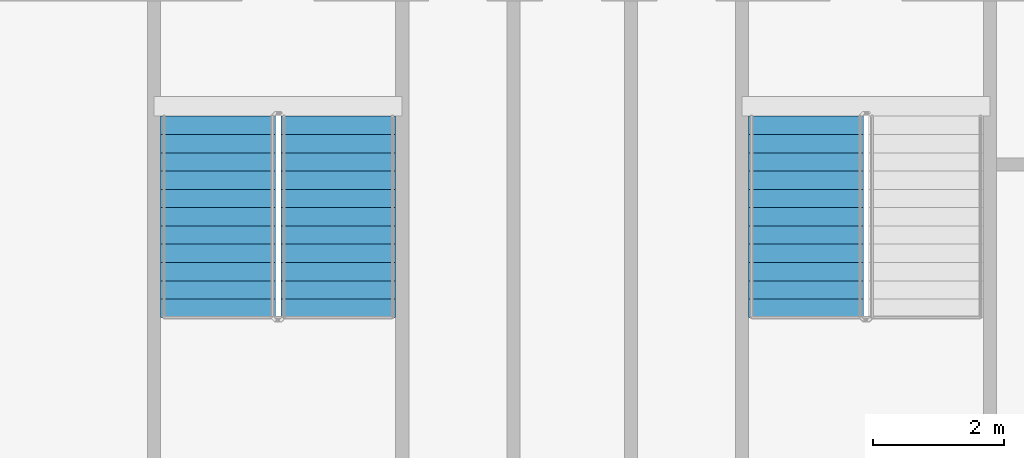
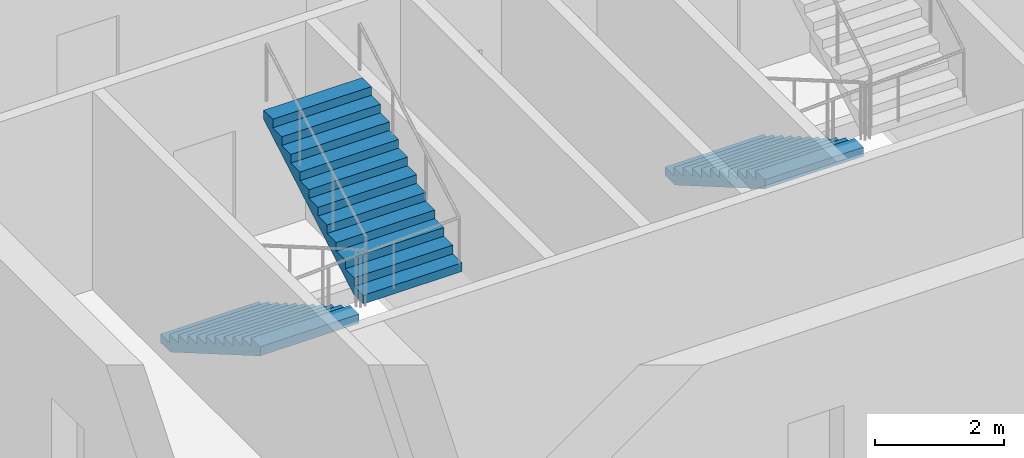
# One storey, part 16 of 23: 3 stair flights, 2 elements without a shape of their own.
"""IFC4 building model written with IfcOpenShell, lengths in metres."""

from ifc_helpers import new_model, si_unit, direction, frame, origin, place, context, subcontext, project, spatial, faceted_brep, material, type_object, element, aggregate, save


model = new_model("IFC4")

# Units and contexts
model_context = context("Model", 3, precision=1e-05, world=origin(), true_north=direction((0.0, 1.0)))
body_context = subcontext(model_context, "Body", "Model", "MODEL_VIEW")
ifc_project = project(units=[si_unit("LENGTHUNIT", "METRE"), si_unit("AREAUNIT", "SQUARE_METRE"), si_unit("VOLUMEUNIT", "CUBIC_METRE"), si_unit("PLANEANGLEUNIT", "RADIAN"), si_unit("MASSUNIT", "GRAM", prefix="KILO")], contexts=[model_context])

# Site, building, storey
site_placement = place(None, origin())
site = spatial("IfcSite", under=ifc_project, at=site_placement, CompositionType="ELEMENT")
building_placement = place(site_placement, origin())
building = spatial("IfcBuilding", under=site, at=building_placement, Name="Tarsis Ring Headquarters", CompositionType="ELEMENT")
storey_placement = place(building_placement, frame((0.0, 0.0, 308.0)))
storey = spatial("IfcBuildingStorey", under=building, at=storey_placement, Name="L72", CompositionType="ELEMENT", Elevation=308.0)

# Stair, stair flights
ifc_material_1 = material(Name="Core stair 1760")
stair_type = type_object("IfcStairType", Name="Core stair 1760", PredefinedType="HALF_TURN_STAIR", material=ifc_material_1)
stair_1_placement = place(storey_placement, origin())
stair_1 = element("IfcStair", 1, at=stair_1_placement, inside=storey, type_object=stair_type, Name="L72 Exit stair C", PredefinedType="HALF_TURN_STAIR")
ifc_material_2 = material(Name="Concrete C40/50", Category="concrete")
stair_flight_type = type_object("IfcStairFlightType", Name="Core stair flight 1760", PredefinedType="STRAIGHT", material=ifc_material_2)
stair_flight_1_placement = place(storey_placement, frame((-5.419921875, -3.659912109375, 0.0), z_axis=(0.0, 0.0, 1.0), x_axis=(0.0, -1.0, 0.0)))
stair_flight_1 = element("IfcStairFlight", 2, at=stair_flight_1_placement, type_object=stair_flight_type, Name="Stair ST3 flight 1", NumberOfRisers=12, NumberOfTreads=11, PredefinedType="STRAIGHT", RiserHeight=0.1625, TreadLength=0.28, context=body_context, shape_type="Brep", body=[
    faceted_brep([(0.0, 0.8798828125, 0.0), (0.0, 0.8798828125, 0.16259765625), (0.280029296875, 0.8798828125, 0.16259765625), (0.280029296875, 0.8798828125, 0.324951171875), (0.56005859375, 0.8798828125, 0.324951171875), (0.56005859375, 0.8798828125, 0.487548828125), (0.840087890625, 0.8798828125, 0.487548828125), (0.840087890625, 0.8798828125, 0.64990234375), (1.1201171875, 0.8798828125, 0.64990234375), (1.1201171875, 0.8798828125, 0.8125), (1.39990234375, 0.8798828125, 0.8125), (1.39990234375, 0.8798828125, 0.97509765625), (1.679931640625, 0.8798828125, 0.97509765625), (1.679931640625, 0.8798828125, 1.137451171875), (1.9599609375, 0.8798828125, 1.137451171875), (1.9599609375, 0.8798828125, 1.300048828125), (2.239990234375, 0.8798828125, 1.300048828125), (2.239990234375, 0.8798828125, 1.46240234375), (2.52001953125, 0.8798828125, 1.46240234375), (2.52001953125, 0.8798828125, 1.625), (2.800048828125, 0.8798828125, 1.625), (2.800048828125, 0.8798828125, 1.78759765625), (3.080078125, 0.8798828125, 1.78759765625), (3.080078125, 0.8798828125, 1.6142578125), (0.298583984375, 0.8798828125, 0.0), (0.298583984375, -0.8798828125, 0.0), (3.080078125, -0.8798828125, 1.6142578125), (3.080078125, -0.8798828125, 1.78759765625), (2.800048828125, -0.8798828125, 1.78759765625), (2.800048828125, -0.8798828125, 1.625), (2.52001953125, -0.8798828125, 1.625), (2.52001953125, -0.8798828125, 1.46240234375), (2.239990234375, -0.8798828125, 1.46240234375), (2.239990234375, -0.8798828125, 1.300048828125), (1.9599609375, -0.8798828125, 1.300048828125), (1.9599609375, -0.8798828125, 1.137451171875), (1.679931640625, -0.8798828125, 1.137451171875), (1.679931640625, -0.8798828125, 0.97509765625), (1.39990234375, -0.8798828125, 0.97509765625), (1.39990234375, -0.8798828125, 0.8125), (1.1201171875, -0.8798828125, 0.8125), (1.1201171875, -0.8798828125, 0.64990234375), (0.840087890625, -0.8798828125, 0.64990234375), (0.840087890625, -0.8798828125, 0.487548828125), (0.56005859375, -0.8798828125, 0.487548828125), (0.56005859375, -0.8798828125, 0.324951171875), (0.280029296875, -0.8798828125, 0.324951171875), (0.280029296875, -0.8798828125, 0.16259765625), (0.0, -0.8798828125, 0.16259765625), (0.0, -0.8798828125, 0.0), (0.0, -0.43994140625, 0.16259765625), (0.0, -0.43994140625, 0.0), (0.0, 0.0, 0.16259765625), (0.0, 0.0, 0.0), (0.0, 0.43994140625, 0.16259765625), (0.0, 0.43994140625, 0.0), (0.280029296875, -0.43994140625, 0.16259765625), (0.280029296875, 0.0, 0.16259765625), (0.280029296875, 0.43994140625, 0.16259765625), (0.280029296875, -0.43994140625, 0.324951171875), (0.280029296875, 0.0, 0.324951171875), (0.280029296875, 0.43994140625, 0.324951171875), (0.56005859375, -0.43994140625, 0.324951171875), (0.56005859375, 0.0, 0.324951171875), (0.56005859375, 0.43994140625, 0.324951171875), (0.56005859375, -0.43994140625, 0.487548828125), (0.56005859375, 0.0, 0.487548828125), (0.56005859375, 0.43994140625, 0.487548828125), (0.840087890625, -0.43994140625, 0.487548828125), (0.840087890625, 0.0, 0.487548828125), (0.840087890625, 0.43994140625, 0.487548828125), (0.840087890625, -0.43994140625, 0.64990234375), (0.840087890625, 0.0, 0.64990234375), (0.840087890625, 0.43994140625, 0.64990234375), (1.1201171875, -0.43994140625, 0.64990234375), (1.1201171875, 0.0, 0.64990234375), (1.1201171875, 0.43994140625, 0.64990234375), (1.1201171875, -0.43994140625, 0.8125), (1.1201171875, 0.0, 0.8125), (1.1201171875, 0.43994140625, 0.8125), (1.39990234375, -0.43994140625, 0.8125), (1.39990234375, 0.0, 0.8125), (1.39990234375, 0.43994140625, 0.8125), (1.39990234375, -0.43994140625, 0.97509765625), (1.39990234375, 0.0, 0.97509765625), (1.39990234375, 0.43994140625, 0.97509765625), (1.679931640625, -0.43994140625, 0.97509765625), (1.679931640625, 0.0, 0.97509765625), (1.679931640625, 0.43994140625, 0.97509765625), (1.679931640625, -0.43994140625, 1.137451171875), (1.679931640625, 0.0, 1.137451171875), (1.679931640625, 0.43994140625, 1.137451171875), (1.9599609375, -0.43994140625, 1.137451171875), (1.9599609375, 0.0, 1.137451171875), (1.9599609375, 0.43994140625, 1.137451171875), (1.9599609375, -0.43994140625, 1.300048828125), (1.9599609375, 0.0, 1.300048828125), (1.9599609375, 0.43994140625, 1.300048828125), (2.239990234375, -0.43994140625, 1.300048828125), (2.239990234375, 0.0, 1.300048828125), (2.239990234375, 0.43994140625, 1.300048828125), (2.239990234375, -0.43994140625, 1.46240234375), (2.239990234375, 0.0, 1.46240234375), (2.239990234375, 0.43994140625, 1.46240234375), (2.52001953125, -0.43994140625, 1.46240234375), (2.52001953125, 0.0, 1.46240234375), (2.52001953125, 0.43994140625, 1.46240234375), (2.52001953125, -0.43994140625, 1.625), (2.52001953125, 0.0, 1.625), (2.52001953125, 0.43994140625, 1.625), (2.800048828125, -0.43994140625, 1.625), (2.800048828125, 0.0, 1.625), (2.800048828125, 0.43994140625, 1.625), (2.800048828125, -0.43994140625, 1.78759765625), (2.800048828125, 0.0, 1.78759765625), (2.800048828125, 0.43994140625, 1.78759765625), (3.080078125, -0.43994140625, 1.78759765625), (3.080078125, 0.0, 1.78759765625), (3.080078125, 0.43994140625, 1.78759765625), (3.080078125, -0.43994140625, 1.6142578125), (3.080078125, 0.0, 1.6142578125), (3.080078125, 0.43994140625, 1.6142578125), (0.298583984375, -0.43994140625, 0.0), (0.298583984375, 0.0, 0.0), (0.298583984375, 0.43994140625, 0.0)], [[[0, 1, 2, 3, 4, 5, 6, 7, 8, 9, 10, 11, 12, 13, 14, 15, 16, 17, 18, 19, 20, 21, 22, 23, 24]], [[25, 26, 27, 28, 29, 30, 31, 32, 33, 34, 35, 36, 37, 38, 39, 40, 41, 42, 43, 44, 45, 46, 47, 48, 49]], [[49, 48, 50, 51]], [[51, 50, 52, 53]], [[53, 52, 54, 55]], [[55, 54, 1, 0]], [[48, 47, 56, 50]], [[50, 56, 57, 52]], [[52, 57, 58, 54]], [[54, 58, 2, 1]], [[47, 46, 59, 56]], [[56, 59, 60, 57]], [[57, 60, 61, 58]], [[58, 61, 3, 2]], [[46, 45, 62, 59]], [[59, 62, 63, 60]], [[60, 63, 64, 61]], [[61, 64, 4, 3]], [[45, 44, 65, 62]], [[62, 65, 66, 63]], [[63, 66, 67, 64]], [[64, 67, 5, 4]], [[44, 43, 68, 65]], [[65, 68, 69, 66]], [[66, 69, 70, 67]], [[67, 70, 6, 5]], [[43, 42, 71, 68]], [[68, 71, 72, 69]], [[69, 72, 73, 70]], [[70, 73, 7, 6]], [[42, 41, 74, 71]], [[71, 74, 75, 72]], [[72, 75, 76, 73]], [[73, 76, 8, 7]], [[41, 40, 77, 74]], [[74, 77, 78, 75]], [[75, 78, 79, 76]], [[76, 79, 9, 8]], [[40, 39, 80, 77]], [[77, 80, 81, 78]], [[78, 81, 82, 79]], [[79, 82, 10, 9]], [[39, 38, 83, 80]], [[80, 83, 84, 81]], [[81, 84, 85, 82]], [[82, 85, 11, 10]], [[38, 37, 86, 83]], [[83, 86, 87, 84]], [[84, 87, 88, 85]], [[85, 88, 12, 11]], [[37, 36, 89, 86]], [[86, 89, 90, 87]], [[87, 90, 91, 88]], [[88, 91, 13, 12]], [[36, 35, 92, 89]], [[89, 92, 93, 90]], [[90, 93, 94, 91]], [[91, 94, 14, 13]], [[35, 34, 95, 92]], [[92, 95, 96, 93]], [[93, 96, 97, 94]], [[94, 97, 15, 14]], [[34, 33, 98, 95]], [[95, 98, 99, 96]], [[96, 99, 100, 97]], [[97, 100, 16, 15]], [[33, 32, 101, 98]], [[98, 101, 102, 99]], [[99, 102, 103, 100]], [[100, 103, 17, 16]], [[32, 31, 104, 101]], [[101, 104, 105, 102]], [[102, 105, 106, 103]], [[103, 106, 18, 17]], [[31, 30, 107, 104]], [[104, 107, 108, 105]], [[105, 108, 109, 106]], [[106, 109, 19, 18]], [[30, 29, 110, 107]], [[107, 110, 111, 108]], [[108, 111, 112, 109]], [[109, 112, 20, 19]], [[29, 28, 113, 110]], [[110, 113, 114, 111]], [[111, 114, 115, 112]], [[112, 115, 21, 20]], [[28, 27, 116, 113]], [[113, 116, 117, 114]], [[114, 117, 118, 115]], [[115, 118, 22, 21]], [[27, 26, 119, 116]], [[116, 119, 120, 117]], [[117, 120, 121, 118]], [[118, 121, 23, 22]], [[26, 25, 122, 119]], [[119, 122, 123, 120]], [[120, 123, 124, 121]], [[121, 124, 24, 23]], [[25, 49, 51, 122]], [[122, 51, 53, 123]], [[123, 53, 55, 124]], [[124, 55, 0, 24]]]),
])
stair_flight_2_placement = place(storey_placement, frame((-3.580078125, -6.739990234375, 1.949951171875), z_axis=(0.0, 0.0, 1.0), x_axis=(0.0, 1.0, 0.0)))
stair_flight_2 = element("IfcStairFlight", 3, at=stair_flight_2_placement, type_object=stair_flight_type, Name="Stair ST3 flight 2", NumberOfRisers=12, NumberOfTreads=11, PredefinedType="STRAIGHT", RiserHeight=0.1625, TreadLength=0.28, context=body_context, shape_type="Brep", body=[
    faceted_brep([(0.0, 0.8798828125, 0.0), (0.0, 0.8798828125, 0.16259765625), (0.280029296875, 0.8798828125, 0.16259765625), (0.280029296875, 0.8798828125, 0.324951171875), (0.56005859375, 0.8798828125, 0.324951171875), (0.56005859375, 0.8798828125, 0.487548828125), (0.840087890625, 0.8798828125, 0.487548828125), (0.840087890625, 0.8798828125, 0.64990234375), (1.1201171875, 0.8798828125, 0.64990234375), (1.1201171875, 0.8798828125, 0.8125), (1.39990234375, 0.8798828125, 0.8125), (1.39990234375, 0.8798828125, 0.97509765625), (1.679931640625, 0.8798828125, 0.97509765625), (1.679931640625, 0.8798828125, 1.137451171875), (1.9599609375, 0.8798828125, 1.137451171875), (1.9599609375, 0.8798828125, 1.300048828125), (2.239990234375, 0.8798828125, 1.300048828125), (2.239990234375, 0.8798828125, 1.46240234375), (2.52001953125, 0.8798828125, 1.46240234375), (2.52001953125, 0.8798828125, 1.625), (2.800048828125, 0.8798828125, 1.625), (2.800048828125, 0.8798828125, 1.78759765625), (3.080078125, 0.8798828125, 1.78759765625), (3.080078125, 0.8798828125, 1.6142578125), (0.298583984375, 0.8798828125, 0.0), (0.298583984375, -0.8798828125, 0.0), (3.080078125, -0.8798828125, 1.6142578125), (3.080078125, -0.8798828125, 1.78759765625), (2.800048828125, -0.8798828125, 1.78759765625), (2.800048828125, -0.8798828125, 1.625), (2.52001953125, -0.8798828125, 1.625), (2.52001953125, -0.8798828125, 1.46240234375), (2.239990234375, -0.8798828125, 1.46240234375), (2.239990234375, -0.8798828125, 1.300048828125), (1.9599609375, -0.8798828125, 1.300048828125), (1.9599609375, -0.8798828125, 1.137451171875), (1.679931640625, -0.8798828125, 1.137451171875), (1.679931640625, -0.8798828125, 0.97509765625), (1.39990234375, -0.8798828125, 0.97509765625), (1.39990234375, -0.8798828125, 0.8125), (1.1201171875, -0.8798828125, 0.8125), (1.1201171875, -0.8798828125, 0.64990234375), (0.840087890625, -0.8798828125, 0.64990234375), (0.840087890625, -0.8798828125, 0.487548828125), (0.56005859375, -0.8798828125, 0.487548828125), (0.56005859375, -0.8798828125, 0.324951171875), (0.280029296875, -0.8798828125, 0.324951171875), (0.280029296875, -0.8798828125, 0.16259765625), (0.0, -0.8798828125, 0.16259765625), (0.0, -0.8798828125, 0.0), (0.0, -0.43994140625, 0.16259765625), (0.0, -0.43994140625, 0.0), (0.0, 0.0, 0.16259765625), (0.0, 0.0, 0.0), (0.0, 0.43994140625, 0.16259765625), (0.0, 0.43994140625, 0.0), (0.280029296875, -0.43994140625, 0.16259765625), (0.280029296875, 0.0, 0.16259765625), (0.280029296875, 0.43994140625, 0.16259765625), (0.280029296875, -0.43994140625, 0.324951171875), (0.280029296875, 0.0, 0.324951171875), (0.280029296875, 0.43994140625, 0.324951171875), (0.56005859375, -0.43994140625, 0.324951171875), (0.56005859375, 0.0, 0.324951171875), (0.56005859375, 0.43994140625, 0.324951171875), (0.56005859375, -0.43994140625, 0.487548828125), (0.56005859375, 0.0, 0.487548828125), (0.56005859375, 0.43994140625, 0.487548828125), (0.840087890625, -0.43994140625, 0.487548828125), (0.840087890625, 0.0, 0.487548828125), (0.840087890625, 0.43994140625, 0.487548828125), (0.840087890625, -0.43994140625, 0.64990234375), (0.840087890625, 0.0, 0.64990234375), (0.840087890625, 0.43994140625, 0.64990234375), (1.1201171875, -0.43994140625, 0.64990234375), (1.1201171875, 0.0, 0.64990234375), (1.1201171875, 0.43994140625, 0.64990234375), (1.1201171875, -0.43994140625, 0.8125), (1.1201171875, 0.0, 0.8125), (1.1201171875, 0.43994140625, 0.8125), (1.39990234375, -0.43994140625, 0.8125), (1.39990234375, 0.0, 0.8125), (1.39990234375, 0.43994140625, 0.8125), (1.39990234375, -0.43994140625, 0.97509765625), (1.39990234375, 0.0, 0.97509765625), (1.39990234375, 0.43994140625, 0.97509765625), (1.679931640625, -0.43994140625, 0.97509765625), (1.679931640625, 0.0, 0.97509765625), (1.679931640625, 0.43994140625, 0.97509765625), (1.679931640625, -0.43994140625, 1.137451171875), (1.679931640625, 0.0, 1.137451171875), (1.679931640625, 0.43994140625, 1.137451171875), (1.9599609375, -0.43994140625, 1.137451171875), (1.9599609375, 0.0, 1.137451171875), (1.9599609375, 0.43994140625, 1.137451171875), (1.9599609375, -0.43994140625, 1.300048828125), (1.9599609375, 0.0, 1.300048828125), (1.9599609375, 0.43994140625, 1.300048828125), (2.239990234375, -0.43994140625, 1.300048828125), (2.239990234375, 0.0, 1.300048828125), (2.239990234375, 0.43994140625, 1.300048828125), (2.239990234375, -0.43994140625, 1.46240234375), (2.239990234375, 0.0, 1.46240234375), (2.239990234375, 0.43994140625, 1.46240234375), (2.52001953125, -0.43994140625, 1.46240234375), (2.52001953125, 0.0, 1.46240234375), (2.52001953125, 0.43994140625, 1.46240234375), (2.52001953125, -0.43994140625, 1.625), (2.52001953125, 0.0, 1.625), (2.52001953125, 0.43994140625, 1.625), (2.800048828125, -0.43994140625, 1.625), (2.800048828125, 0.0, 1.625), (2.800048828125, 0.43994140625, 1.625), (2.800048828125, -0.43994140625, 1.78759765625), (2.800048828125, 0.0, 1.78759765625), (2.800048828125, 0.43994140625, 1.78759765625), (3.080078125, -0.43994140625, 1.78759765625), (3.080078125, 0.0, 1.78759765625), (3.080078125, 0.43994140625, 1.78759765625), (3.080078125, -0.43994140625, 1.6142578125), (3.080078125, 0.0, 1.6142578125), (3.080078125, 0.43994140625, 1.6142578125), (0.298583984375, -0.43994140625, 0.0), (0.298583984375, 0.0, 0.0), (0.298583984375, 0.43994140625, 0.0)], [[[0, 1, 2, 3, 4, 5, 6, 7, 8, 9, 10, 11, 12, 13, 14, 15, 16, 17, 18, 19, 20, 21, 22, 23, 24]], [[25, 26, 27, 28, 29, 30, 31, 32, 33, 34, 35, 36, 37, 38, 39, 40, 41, 42, 43, 44, 45, 46, 47, 48, 49]], [[49, 48, 50, 51]], [[51, 50, 52, 53]], [[53, 52, 54, 55]], [[55, 54, 1, 0]], [[48, 47, 56, 50]], [[50, 56, 57, 52]], [[52, 57, 58, 54]], [[54, 58, 2, 1]], [[47, 46, 59, 56]], [[56, 59, 60, 57]], [[57, 60, 61, 58]], [[58, 61, 3, 2]], [[46, 45, 62, 59]], [[59, 62, 63, 60]], [[60, 63, 64, 61]], [[61, 64, 4, 3]], [[45, 44, 65, 62]], [[62, 65, 66, 63]], [[63, 66, 67, 64]], [[64, 67, 5, 4]], [[44, 43, 68, 65]], [[65, 68, 69, 66]], [[66, 69, 70, 67]], [[67, 70, 6, 5]], [[43, 42, 71, 68]], [[68, 71, 72, 69]], [[69, 72, 73, 70]], [[70, 73, 7, 6]], [[42, 41, 74, 71]], [[71, 74, 75, 72]], [[72, 75, 76, 73]], [[73, 76, 8, 7]], [[41, 40, 77, 74]], [[74, 77, 78, 75]], [[75, 78, 79, 76]], [[76, 79, 9, 8]], [[40, 39, 80, 77]], [[77, 80, 81, 78]], [[78, 81, 82, 79]], [[79, 82, 10, 9]], [[39, 38, 83, 80]], [[80, 83, 84, 81]], [[81, 84, 85, 82]], [[82, 85, 11, 10]], [[38, 37, 86, 83]], [[83, 86, 87, 84]], [[84, 87, 88, 85]], [[85, 88, 12, 11]], [[37, 36, 89, 86]], [[86, 89, 90, 87]], [[87, 90, 91, 88]], [[88, 91, 13, 12]], [[36, 35, 92, 89]], [[89, 92, 93, 90]], [[90, 93, 94, 91]], [[91, 94, 14, 13]], [[35, 34, 95, 92]], [[92, 95, 96, 93]], [[93, 96, 97, 94]], [[94, 97, 15, 14]], [[34, 33, 98, 95]], [[95, 98, 99, 96]], [[96, 99, 100, 97]], [[97, 100, 16, 15]], [[33, 32, 101, 98]], [[98, 101, 102, 99]], [[99, 102, 103, 100]], [[100, 103, 17, 16]], [[32, 31, 104, 101]], [[101, 104, 105, 102]], [[102, 105, 106, 103]], [[103, 106, 18, 17]], [[31, 30, 107, 104]], [[104, 107, 108, 105]], [[105, 108, 109, 106]], [[106, 109, 19, 18]], [[30, 29, 110, 107]], [[107, 110, 111, 108]], [[108, 111, 112, 109]], [[109, 112, 20, 19]], [[29, 28, 113, 110]], [[110, 113, 114, 111]], [[111, 114, 115, 112]], [[112, 115, 21, 20]], [[28, 27, 116, 113]], [[113, 116, 117, 114]], [[114, 117, 118, 115]], [[115, 118, 22, 21]], [[27, 26, 119, 116]], [[116, 119, 120, 117]], [[117, 120, 121, 118]], [[118, 121, 23, 22]], [[26, 25, 122, 119]], [[119, 122, 123, 120]], [[120, 123, 124, 121]], [[121, 124, 24, 23]], [[25, 49, 51, 122]], [[122, 51, 53, 123]], [[123, 53, 55, 124]], [[124, 55, 0, 24]]]),
])
aggregate(stair_1, [stair_flight_1, stair_flight_2])

# Stair, stair flight
stair_2_placement = place(storey_placement, origin())
stair_2 = element("IfcStair", 4, at=stair_2_placement, inside=storey, type_object=stair_type, Name="L72 Exit stair D", PredefinedType="HALF_TURN_STAIR")
stair_flight_3_placement = place(storey_placement, frame((3.580078125, -3.659912109375, 0.0), z_axis=(0.0, 0.0, 1.0), x_axis=(0.0, -1.0, 0.0)))
stair_flight_3 = element("IfcStairFlight", 5, at=stair_flight_3_placement, type_object=stair_flight_type, Name="Stair ST4 flight 1", NumberOfRisers=12, NumberOfTreads=11, PredefinedType="STRAIGHT", RiserHeight=0.1625, TreadLength=0.28, context=body_context, shape_type="Brep", body=[
    faceted_brep([(0.0, 0.8798828125, 0.0), (0.0, 0.8798828125, 0.16259765625), (0.280029296875, 0.8798828125, 0.16259765625), (0.280029296875, 0.8798828125, 0.324951171875), (0.56005859375, 0.8798828125, 0.324951171875), (0.56005859375, 0.8798828125, 0.487548828125), (0.840087890625, 0.8798828125, 0.487548828125), (0.840087890625, 0.8798828125, 0.64990234375), (1.1201171875, 0.8798828125, 0.64990234375), (1.1201171875, 0.8798828125, 0.8125), (1.39990234375, 0.8798828125, 0.8125), (1.39990234375, 0.8798828125, 0.97509765625), (1.679931640625, 0.8798828125, 0.97509765625), (1.679931640625, 0.8798828125, 1.137451171875), (1.9599609375, 0.8798828125, 1.137451171875), (1.9599609375, 0.8798828125, 1.300048828125), (2.239990234375, 0.8798828125, 1.300048828125), (2.239990234375, 0.8798828125, 1.46240234375), (2.52001953125, 0.8798828125, 1.46240234375), (2.52001953125, 0.8798828125, 1.625), (2.800048828125, 0.8798828125, 1.625), (2.800048828125, 0.8798828125, 1.78759765625), (3.080078125, 0.8798828125, 1.78759765625), (3.080078125, 0.8798828125, 1.6142578125), (0.298583984375, 0.8798828125, 0.0), (0.298583984375, -0.8798828125, 0.0), (3.080078125, -0.8798828125, 1.6142578125), (3.080078125, -0.8798828125, 1.78759765625), (2.800048828125, -0.8798828125, 1.78759765625), (2.800048828125, -0.8798828125, 1.625), (2.52001953125, -0.8798828125, 1.625), (2.52001953125, -0.8798828125, 1.46240234375), (2.239990234375, -0.8798828125, 1.46240234375), (2.239990234375, -0.8798828125, 1.300048828125), (1.9599609375, -0.8798828125, 1.300048828125), (1.9599609375, -0.8798828125, 1.137451171875), (1.679931640625, -0.8798828125, 1.137451171875), (1.679931640625, -0.8798828125, 0.97509765625), (1.39990234375, -0.8798828125, 0.97509765625), (1.39990234375, -0.8798828125, 0.8125), (1.1201171875, -0.8798828125, 0.8125), (1.1201171875, -0.8798828125, 0.64990234375), (0.840087890625, -0.8798828125, 0.64990234375), (0.840087890625, -0.8798828125, 0.487548828125), (0.56005859375, -0.8798828125, 0.487548828125), (0.56005859375, -0.8798828125, 0.324951171875), (0.280029296875, -0.8798828125, 0.324951171875), (0.280029296875, -0.8798828125, 0.16259765625), (0.0, -0.8798828125, 0.16259765625), (0.0, -0.8798828125, 0.0), (0.0, -0.43994140625, 0.16259765625), (0.0, -0.43994140625, 0.0), (0.0, 0.0, 0.16259765625), (0.0, 0.0, 0.0), (0.0, 0.43994140625, 0.16259765625), (0.0, 0.43994140625, 0.0), (0.280029296875, -0.43994140625, 0.16259765625), (0.280029296875, 0.0, 0.16259765625), (0.280029296875, 0.43994140625, 0.16259765625), (0.280029296875, -0.43994140625, 0.324951171875), (0.280029296875, 0.0, 0.324951171875), (0.280029296875, 0.43994140625, 0.324951171875), (0.56005859375, -0.43994140625, 0.324951171875), (0.56005859375, 0.0, 0.324951171875), (0.56005859375, 0.43994140625, 0.324951171875), (0.56005859375, -0.43994140625, 0.487548828125), (0.56005859375, 0.0, 0.487548828125), (0.56005859375, 0.43994140625, 0.487548828125), (0.840087890625, -0.43994140625, 0.487548828125), (0.840087890625, 0.0, 0.487548828125), (0.840087890625, 0.43994140625, 0.487548828125), (0.840087890625, -0.43994140625, 0.64990234375), (0.840087890625, 0.0, 0.64990234375), (0.840087890625, 0.43994140625, 0.64990234375), (1.1201171875, -0.43994140625, 0.64990234375), (1.1201171875, 0.0, 0.64990234375), (1.1201171875, 0.43994140625, 0.64990234375), (1.1201171875, -0.43994140625, 0.8125), (1.1201171875, 0.0, 0.8125), (1.1201171875, 0.43994140625, 0.8125), (1.39990234375, -0.43994140625, 0.8125), (1.39990234375, 0.0, 0.8125), (1.39990234375, 0.43994140625, 0.8125), (1.39990234375, -0.43994140625, 0.97509765625), (1.39990234375, 0.0, 0.97509765625), (1.39990234375, 0.43994140625, 0.97509765625), (1.679931640625, -0.43994140625, 0.97509765625), (1.679931640625, 0.0, 0.97509765625), (1.679931640625, 0.43994140625, 0.97509765625), (1.679931640625, -0.43994140625, 1.137451171875), (1.679931640625, 0.0, 1.137451171875), (1.679931640625, 0.43994140625, 1.137451171875), (1.9599609375, -0.43994140625, 1.137451171875), (1.9599609375, 0.0, 1.137451171875), (1.9599609375, 0.43994140625, 1.137451171875), (1.9599609375, -0.43994140625, 1.300048828125), (1.9599609375, 0.0, 1.300048828125), (1.9599609375, 0.43994140625, 1.300048828125), (2.239990234375, -0.43994140625, 1.300048828125), (2.239990234375, 0.0, 1.300048828125), (2.239990234375, 0.43994140625, 1.300048828125), (2.239990234375, -0.43994140625, 1.46240234375), (2.239990234375, 0.0, 1.46240234375), (2.239990234375, 0.43994140625, 1.46240234375), (2.52001953125, -0.43994140625, 1.46240234375), (2.52001953125, 0.0, 1.46240234375), (2.52001953125, 0.43994140625, 1.46240234375), (2.52001953125, -0.43994140625, 1.625), (2.52001953125, 0.0, 1.625), (2.52001953125, 0.43994140625, 1.625), (2.800048828125, -0.43994140625, 1.625), (2.800048828125, 0.0, 1.625), (2.800048828125, 0.43994140625, 1.625), (2.800048828125, -0.43994140625, 1.78759765625), (2.800048828125, 0.0, 1.78759765625), (2.800048828125, 0.43994140625, 1.78759765625), (3.080078125, -0.43994140625, 1.78759765625), (3.080078125, 0.0, 1.78759765625), (3.080078125, 0.43994140625, 1.78759765625), (3.080078125, -0.43994140625, 1.6142578125), (3.080078125, 0.0, 1.6142578125), (3.080078125, 0.43994140625, 1.6142578125), (0.298583984375, -0.43994140625, 0.0), (0.298583984375, 0.0, 0.0), (0.298583984375, 0.43994140625, 0.0)], [[[0, 1, 2, 3, 4, 5, 6, 7, 8, 9, 10, 11, 12, 13, 14, 15, 16, 17, 18, 19, 20, 21, 22, 23, 24]], [[25, 26, 27, 28, 29, 30, 31, 32, 33, 34, 35, 36, 37, 38, 39, 40, 41, 42, 43, 44, 45, 46, 47, 48, 49]], [[49, 48, 50, 51]], [[51, 50, 52, 53]], [[53, 52, 54, 55]], [[55, 54, 1, 0]], [[48, 47, 56, 50]], [[50, 56, 57, 52]], [[52, 57, 58, 54]], [[54, 58, 2, 1]], [[47, 46, 59, 56]], [[56, 59, 60, 57]], [[57, 60, 61, 58]], [[58, 61, 3, 2]], [[46, 45, 62, 59]], [[59, 62, 63, 60]], [[60, 63, 64, 61]], [[61, 64, 4, 3]], [[45, 44, 65, 62]], [[62, 65, 66, 63]], [[63, 66, 67, 64]], [[64, 67, 5, 4]], [[44, 43, 68, 65]], [[65, 68, 69, 66]], [[66, 69, 70, 67]], [[67, 70, 6, 5]], [[43, 42, 71, 68]], [[68, 71, 72, 69]], [[69, 72, 73, 70]], [[70, 73, 7, 6]], [[42, 41, 74, 71]], [[71, 74, 75, 72]], [[72, 75, 76, 73]], [[73, 76, 8, 7]], [[41, 40, 77, 74]], [[74, 77, 78, 75]], [[75, 78, 79, 76]], [[76, 79, 9, 8]], [[40, 39, 80, 77]], [[77, 80, 81, 78]], [[78, 81, 82, 79]], [[79, 82, 10, 9]], [[39, 38, 83, 80]], [[80, 83, 84, 81]], [[81, 84, 85, 82]], [[82, 85, 11, 10]], [[38, 37, 86, 83]], [[83, 86, 87, 84]], [[84, 87, 88, 85]], [[85, 88, 12, 11]], [[37, 36, 89, 86]], [[86, 89, 90, 87]], [[87, 90, 91, 88]], [[88, 91, 13, 12]], [[36, 35, 92, 89]], [[89, 92, 93, 90]], [[90, 93, 94, 91]], [[91, 94, 14, 13]], [[35, 34, 95, 92]], [[92, 95, 96, 93]], [[93, 96, 97, 94]], [[94, 97, 15, 14]], [[34, 33, 98, 95]], [[95, 98, 99, 96]], [[96, 99, 100, 97]], [[97, 100, 16, 15]], [[33, 32, 101, 98]], [[98, 101, 102, 99]], [[99, 102, 103, 100]], [[100, 103, 17, 16]], [[32, 31, 104, 101]], [[101, 104, 105, 102]], [[102, 105, 106, 103]], [[103, 106, 18, 17]], [[31, 30, 107, 104]], [[104, 107, 108, 105]], [[105, 108, 109, 106]], [[106, 109, 19, 18]], [[30, 29, 110, 107]], [[107, 110, 111, 108]], [[108, 111, 112, 109]], [[109, 112, 20, 19]], [[29, 28, 113, 110]], [[110, 113, 114, 111]], [[111, 114, 115, 112]], [[112, 115, 21, 20]], [[28, 27, 116, 113]], [[113, 116, 117, 114]], [[114, 117, 118, 115]], [[115, 118, 22, 21]], [[27, 26, 119, 116]], [[116, 119, 120, 117]], [[117, 120, 121, 118]], [[118, 121, 23, 22]], [[26, 25, 122, 119]], [[119, 122, 123, 120]], [[120, 123, 124, 121]], [[121, 124, 24, 23]], [[25, 49, 51, 122]], [[122, 51, 53, 123]], [[123, 53, 55, 124]], [[124, 55, 0, 24]]]),
])
aggregate(stair_2, [stair_flight_3])

save(model, "model.ifc")
